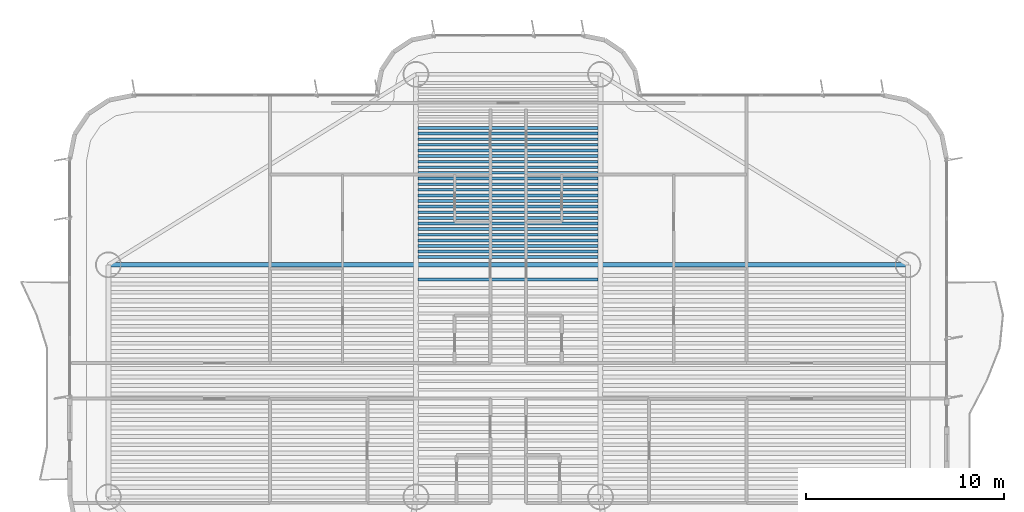
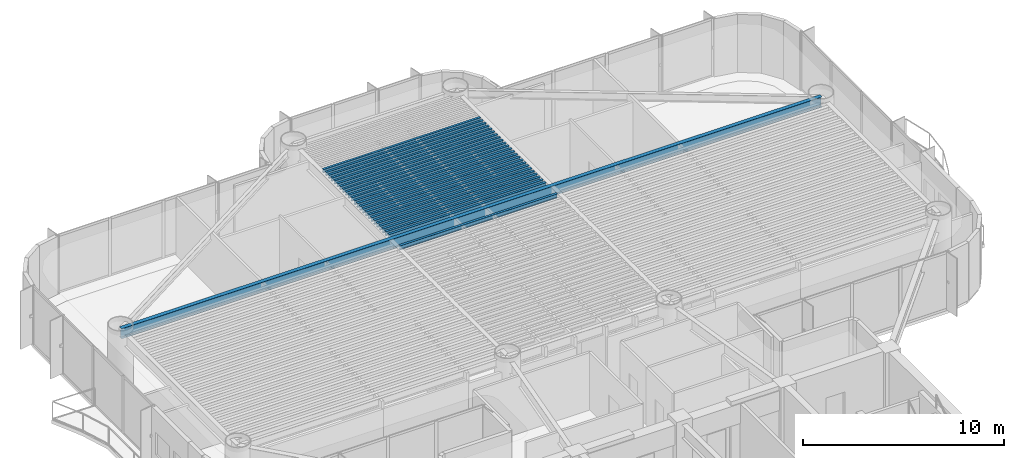
# One storey, part 6 of 17: 26 beams.
"""IFC4 building model written with IfcOpenShell, lengths in metres."""

from ifc_helpers import new_model, si_unit, direction, frame, origin, origin_2d, place, context, subcontext, project, spatial, i_section, extrude, source, transform, mapped, material, material_profile, profile_set, type_object, element, save


model = new_model("IFC4")

# Units and contexts
model_context = context("Model", 3, precision=1e-05, world=origin(), true_north=direction((0.0, 1.0)))
body_context = subcontext(model_context, "Body", "Model", "MODEL_VIEW")
ifc_project = project(units=[si_unit("LENGTHUNIT", "METRE"), si_unit("AREAUNIT", "SQUARE_METRE"), si_unit("VOLUMEUNIT", "CUBIC_METRE"), si_unit("PLANEANGLEUNIT", "RADIAN"), si_unit("MASSUNIT", "GRAM", prefix="KILO")], contexts=[model_context])

# Site, building, storey
site_placement = place(None, origin())
site = spatial("IfcSite", under=ifc_project, at=site_placement, CompositionType="ELEMENT")
building_placement = place(site_placement, origin())
building = spatial("IfcBuilding", under=site, at=building_placement, Name="Brelvock Crest Care Tower", CompositionType="ELEMENT")
storey_placement = place(building_placement, frame((0.0, 0.0, 97.3798828125)))
storey = spatial("IfcBuildingStorey", under=building, at=storey_placement, Name="L24", CompositionType="ELEMENT", Elevation=97.3798828125)

# Beams
ifc_material = material(Name="Steel Grade 350", Category="steel")
ifc_material_profile_1 = material_profile(ifc_material, i_section(OverallWidth=0.14599609375, OverallDepth=0.256103515625, WebThickness=0.00634765625, FlangeThickness=0.010986328125, FilletRadius=0.0087890625, at=origin_2d()), Name="250UB37.3")
ifc_profile_set_1 = profile_set([ifc_material_profile_1], Name="Steel Grade 350")
beam_type_1 = type_object("IfcBeamType", Name="BM-J3", PredefinedType="JOIST", material=ifc_profile_set_1)
shared_shape_1 = source(origin(), body_context, "Body", "SweptSolid", [
    extrude(i_section(OverallWidth=0.14599609375, OverallDepth=0.256103515625, WebThickness=0.00634765625, FlangeThickness=0.010986328125, FilletRadius=0.0087890625, at=origin_2d()), origin(), (0.0, 0.0, 1.0), 9.06982421875),
])
for number, where, z_axis, x_axis, name in (
    (1, (31.465087890625, 38.10400390625, 3.402099609375), (1.0, 0.0, 0.0), (0.0, 1.0, 0.0), "BM-JH-L24-25"),
    (2, (31.465087890625, 39.23388671875, 3.402099609375), (1.0, 0.0, 0.0), (0.0, 1.0, 0.0), "BM-JN-L24-1"),
    (3, (31.465087890625, 39.51708984375, 3.402099609375), (1.0, 0.0, 0.0), (0.0, 1.0, 0.0), "BM-JN-L24-2"),
    (4, (31.465087890625, 39.80029296875, 3.402099609375), (1.0, 0.0, 0.0), (0.0, 1.0, 0.0), "BM-JN-L24-3"),
    (5, (31.465087890625, 40.08349609375, 3.402099609375), (1.0, 0.0, 0.0), (0.0, 1.0, 0.0), "BM-JN-L24-4"),
    (6, (31.465087890625, 40.36669921875, 3.402099609375), (1.0, 0.0, 0.0), (0.0, 1.0, 0.0), "BM-JN-L24-5"),
    (7, (31.465087890625, 40.64990234375, 3.402099609375), (1.0, 0.0, 0.0), (0.0, 1.0, 0.0), "BM-JN-L24-6"),
    (8, (31.465087890625, 40.93310546875, 3.402099609375), (1.0, 0.0, 0.0), (0.0, 1.0, 0.0), "BM-JN-L24-7"),
    (9, (31.465087890625, 41.21630859375, 3.402099609375), (1.0, 0.0, 0.0), (0.0, 1.0, 0.0), "BM-JN-L24-8"),
    (10, (31.465087890625, 41.49951171875, 3.402099609375), (1.0, 0.0, 0.0), (0.0, 1.0, 0.0), "BM-JN-L24-9"),
    (11, (31.465087890625, 41.78271484375, 3.402099609375), (1.0, 0.0, 0.0), (0.0, 1.0, 0.0), "BM-JN-L24-10"),
    (12, (31.465087890625, 42.06591796875, 3.402099609375), (1.0, 0.0, 0.0), (0.0, 1.0, 0.0), "BM-JN-L24-11"),
    (13, (31.465087890625, 42.34912109375, 3.402099609375), (1.0, 0.0, 0.0), (0.0, 1.0, 0.0), "BM-JN-L24-12"),
    (14, (31.465087890625, 42.63232421875, 3.402099609375), (1.0, 0.0, 0.0), (0.0, 1.0, 0.0), "BM-JN-L24-13"),
):
    element("IfcBeam", number, at=place(storey_placement, frame(where, z_axis=z_axis, x_axis=x_axis)), inside=storey, type_object=beam_type_1, Name=name, PredefinedType="JOIST", context=body_context, shape_type="MappedRepresentation", body=[
        mapped(shared_shape_1, transform((0.0, 0.0, 0.0), x_axis=(1.0, 0.0, 0.0), y_axis=(0.0, 1.0, 0.0), z_axis=(0.0, 0.0, 1.0), scale=1.0)),
    ])
ifc_material_profile_2 = material_profile(ifc_material, i_section(OverallWidth=0.134033203125, OverallDepth=0.20703125, WebThickness=0.00634765625, FlangeThickness=0.009521484375, FilletRadius=0.0087890625, at=origin_2d()), Name="200UB29.8")
ifc_profile_set_2 = profile_set([ifc_material_profile_2], Name="Steel Grade 350")
beam_type_2 = type_object("IfcBeamType", Name="BM-J4", PredefinedType="JOIST", material=ifc_profile_set_2)
shared_shape_2 = source(origin(), body_context, "Body", "SweptSolid", [
    extrude(i_section(OverallWidth=0.134033203125, OverallDepth=0.20703125, WebThickness=0.00634765625, FlangeThickness=0.009521484375, FilletRadius=0.0087890625, at=origin_2d()), origin(), (0.0, 0.0, 1.0), 9.06982421875),
])
for number, where, z_axis, x_axis, name in (
    (15, (31.465087890625, 42.91552734375, 3.426513671875), (1.0, 0.0, 0.0), (0.0, 1.0, 0.0), "BM-JN-L24-14"),
    (16, (31.465087890625, 43.19873046875, 3.426513671875), (1.0, 0.0, 0.0), (0.0, 1.0, 0.0), "BM-JN-L24-15"),
    (17, (31.465087890625, 43.48193359375, 3.426513671875), (1.0, 0.0, 0.0), (0.0, 1.0, 0.0), "BM-JN-L24-16"),
    (18, (31.465087890625, 43.76513671875, 3.426513671875), (1.0, 0.0, 0.0), (0.0, 1.0, 0.0), "BM-JN-L24-17"),
    (19, (31.465087890625, 44.04833984375, 3.426513671875), (1.0, 0.0, 0.0), (0.0, 1.0, 0.0), "BM-JN-L24-18"),
    (20, (31.465087890625, 44.33154296875, 3.426513671875), (1.0, 0.0, 0.0), (0.0, 1.0, 0.0), "BM-JN-L24-19"),
    (21, (31.465087890625, 44.61474609375, 3.426513671875), (1.0, 0.0, 0.0), (0.0, 1.0, 0.0), "BM-JN-L24-20"),
    (22, (31.465087890625, 44.89794921875, 3.426513671875), (1.0, 0.0, 0.0), (0.0, 1.0, 0.0), "BM-JN-L24-21"),
    (23, (31.465087890625, 45.18115234375, 3.426513671875), (1.0, 0.0, 0.0), (0.0, 1.0, 0.0), "BM-JN-L24-22"),
    (24, (31.465087890625, 45.46435546875, 3.426513671875), (1.0, 0.0, 0.0), (0.0, 1.0, 0.0), "BM-JN-L24-23"),
    (25, (31.465087890625, 45.74755859375, 3.426513671875), (1.0, 0.0, 0.0), (0.0, 1.0, 0.0), "BM-JN-L24-24"),
):
    element("IfcBeam", number, at=place(storey_placement, frame(where, z_axis=z_axis, x_axis=x_axis)), inside=storey, type_object=beam_type_2, Name=name, PredefinedType="JOIST", context=body_context, shape_type="MappedRepresentation", body=[
        mapped(shared_shape_2, transform((0.0, 0.0, 0.0), x_axis=(1.0, 0.0, 0.0), y_axis=(0.0, 1.0, 0.0), z_axis=(0.0, 0.0, 1.0), scale=1.0)),
    ])
ifc_material_profile_3 = material_profile(ifc_material, i_section(OverallWidth=0.22900390625, OverallDepth=0.612060546875, WebThickness=0.011962890625, FlangeThickness=0.01953125, FilletRadius=0.013916015625, at=origin_2d()), Name="610UB125")
ifc_profile_set_3 = profile_set([ifc_material_profile_3], Name="Steel Grade 350")
beam_type_3 = type_object("IfcBeamType", Name="BM-G1", PredefinedType="BEAM", material=ifc_profile_set_3)
shared_shape_3 = source(origin(), body_context, "Body", "SweptSolid", [
    extrude(i_section(OverallWidth=0.22900390625, OverallDepth=0.612060546875, WebThickness=0.011962890625, FlangeThickness=0.01953125, FilletRadius=0.013916015625, at=origin_2d()), origin(), (0.0, 0.0, 1.0), 40.2998046875),
])
beam_placement = place(storey_placement, frame((15.85009765625, 38.85009765625, 3.22412109375), z_axis=(1.0, 0.0, 0.0), x_axis=(0.0, 1.0, 0.0)))
element("IfcBeam", 26, at=beam_placement, inside=storey, type_object=beam_type_3, Name="BM-TWR-L24-11", PredefinedType="BEAM", context=body_context, shape_type="MappedRepresentation", body=[
    mapped(shared_shape_3, transform((0.0, 0.0, 0.0), x_axis=(1.0, 0.0, 0.0), y_axis=(0.0, 1.0, 0.0), z_axis=(0.0, 0.0, 1.0), scale=1.0)),
])

save(model, "model.ifc")
